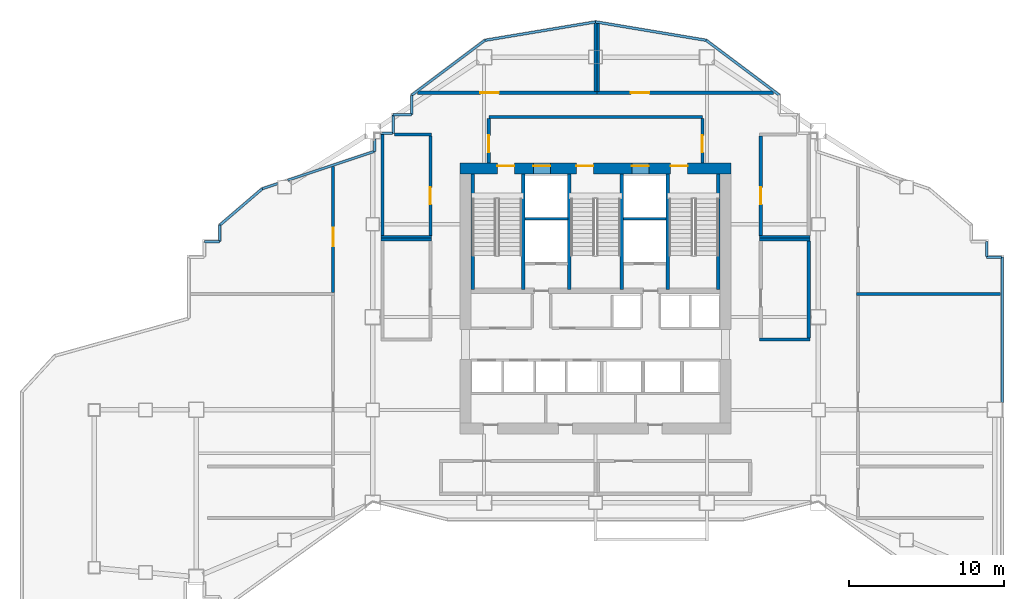
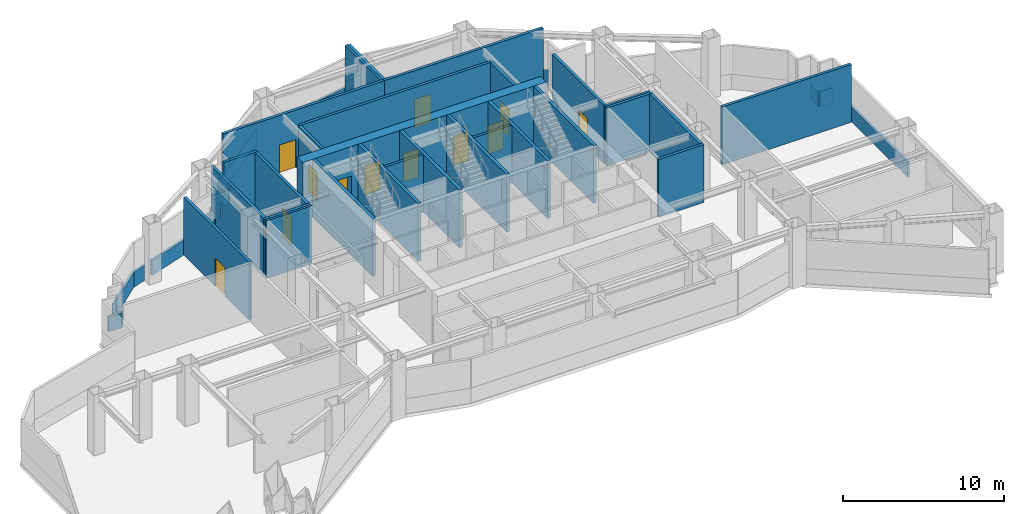
# One storey, part 4 of 12: 45 walls, 12 doors, 12 openings.
"""IFC4 building model written with IfcOpenShell, lengths in metres."""

from ifc_helpers import new_model, si_unit, direction, frame, frame_2d, origin, place, context, subcontext, project, spatial, rectangle, extrude, material, layer, layer_set, type_object, element, fill, save


model = new_model("IFC4")

# Units and contexts
model_context = context("Model", 3, precision=1e-05, world=origin(), true_north=direction((0.0, 1.0)))
body_context = subcontext(model_context, "Body", "Model", "MODEL_VIEW")
ifc_project = project(units=[si_unit("LENGTHUNIT", "METRE"), si_unit("AREAUNIT", "SQUARE_METRE"), si_unit("VOLUMEUNIT", "CUBIC_METRE"), si_unit("PLANEANGLEUNIT", "RADIAN"), si_unit("MASSUNIT", "GRAM", prefix="KILO")], contexts=[model_context])

# Site, building, storey
site_placement = place(None, origin())
site = spatial("IfcSite", under=ifc_project, at=site_placement, CompositionType="ELEMENT")
building_placement = place(site_placement, origin())
building = spatial("IfcBuilding", under=site, at=building_placement, Name="Haolan Belvedere Tower", CompositionType="ELEMENT")
storey_placement = place(building_placement, frame((0.0, 0.0, 136.39990234375)))
storey = spatial("IfcBuildingStorey", under=building, at=storey_placement, Name="L34", CompositionType="ELEMENT", Elevation=136.39990234375)

# Wall, openings, doors
ifc_material_1 = material(Name="Concrete C60/75", Category="concrete")
ifc_layer_1 = layer(ifc_material_1, 0.699951171875, Name="Concrete C60/75")
ifc_layer_set_1 = layer_set([ifc_layer_1], Name="Concrete C60/75")
wall_type_1 = type_object("IfcWallType", Name="WL-CORE-700", PredefinedType="SHEAR", material=ifc_layer_set_1)
wall_1_placement = place(storey_placement, frame((29.64990234375, 43.199951171875, 0.0), z_axis=(0.0, 0.0, 1.0), x_axis=(1.0, 0.0, 0.0)))
wall_1 = element("IfcWall", 1, at=wall_1_placement, inside=storey, type_object=wall_type_1, Name="L34 central core north shear wall", PredefinedType="SHEAR", context=body_context, shape_type="SweptSolid", body=[
    extrude(rectangle(XDim=17.5, YDim=0.699951171875, at=frame_2d((8.75, 0.0))), origin(), (0.0, 0.0, 1.0), 4.400146484375),
])
opening_1_placement = place(wall_1_placement, frame((2.39990234375, 0.0, 0.0)))
opening_1 = element("IfcOpeningElement", 2, at=opening_1_placement, cuts=wall_1, Name="Opening FD-03", PredefinedType="OPENING", context=body_context, shape_type="SweptSolid", body=[
    extrude(rectangle(XDim=1.10009765625, YDim=2.14990234375, at=frame_2d((0.550048828125, 1.074951171875))), frame((0.0, 0.35986328125, 0.0), z_axis=(0.0, -1.0, 0.0), x_axis=(1.0, 0.0, 0.0)), (0.0, 0.0, 1.0), 0.719970703125),
])
opening_2_placement = place(wall_1_placement, frame((7.510009765625, 0.0, 0.0)))
opening_2 = element("IfcOpeningElement", 3, at=opening_2_placement, cuts=wall_1, Name="Opening FD-03", PredefinedType="OPENING", context=body_context, shape_type="SweptSolid", body=[
    extrude(rectangle(XDim=1.10009765625, YDim=2.14990234375, at=frame_2d((0.550048828125, 1.074951171875))), frame((0.0, 0.35986328125, 0.0), z_axis=(0.0, -1.0, 0.0), x_axis=(1.0, 0.0, 0.0)), (0.0, 0.0, 1.0), 0.719970703125),
])
opening_3_placement = place(wall_1_placement, frame((13.60009765625, 0.0, 0.0)))
opening_3 = element("IfcOpeningElement", 4, at=opening_3_placement, cuts=wall_1, Name="Opening FD-03", PredefinedType="OPENING", context=body_context, shape_type="SweptSolid", body=[
    extrude(rectangle(XDim=1.10009765625, YDim=2.14990234375, at=frame_2d((0.550048828125, 1.074951171875))), frame((0.0, 0.35986328125, 0.0), z_axis=(0.0, -1.0, 0.0), x_axis=(1.0, 0.0, 0.0)), (0.0, 0.0, 1.0), 0.719970703125),
])
opening_4_placement = place(wall_1_placement, frame((4.72998046875, 0.0, 0.0)))
opening_4 = element("IfcOpeningElement", 5, at=opening_4_placement, cuts=wall_1, Name="Opening LD-01", PredefinedType="OPENING", context=body_context, shape_type="SweptSolid", body=[
    extrude(rectangle(XDim=1.10009765625, YDim=2.199951171875, at=frame_2d((0.550048828125, 1.10009765625))), frame((0.0, 0.35986328125, 0.0), z_axis=(0.0, -1.0, 0.0), x_axis=(1.0, 0.0, 0.0)), (0.0, 0.0, 1.0), 0.719970703125),
])
opening_5_placement = place(wall_1_placement, frame((11.090087890625, 0.0, 0.0)))
opening_5 = element("IfcOpeningElement", 6, at=opening_5_placement, cuts=wall_1, Name="Opening LD-01", PredefinedType="OPENING", context=body_context, shape_type="SweptSolid", body=[
    extrude(rectangle(XDim=1.10009765625, YDim=2.199951171875, at=frame_2d((0.550048828125, 1.10009765625))), frame((0.0, 0.35986328125, 0.0), z_axis=(0.0, -1.0, 0.0), x_axis=(1.0, 0.0, 0.0)), (0.0, 0.0, 1.0), 0.719970703125),
])
ifc_material_2 = material(Name="Galvanised fire-rated steel", Category="steel")
door_type_1 = type_object("IfcDoorType", Name="DR-FD90-1100", OperationType="NOTDEFINED", PredefinedType="DOOR", material=ifc_material_2)
door_1_placement = place(opening_1_placement, origin())
door_1 = element("IfcDoor", 7, at=door_1_placement, inside=storey, type_object=door_type_1, Name="L34 door CD-L34-ST1", OperationType="SINGLE_SWING_LEFT", OverallHeight=2.14990234375, OverallWidth=1.10009765625, PredefinedType="DOOR", context=body_context, shape_type="SweptSolid", body=[
    extrude(rectangle(XDim=1.10009765625, YDim=2.14990234375, at=frame_2d((0.550048828125, 1.074951171875))), frame((0.0, 0.18505859375, 0.0), z_axis=(0.0, -1.0, 0.0), x_axis=(1.0, 0.0, 0.0)), (0.0, 0.0, 1.0), 0.050048828125),
])
fill(opening_1, door_1)
door_2_placement = place(opening_2_placement, origin())
door_2 = element("IfcDoor", 8, at=door_2_placement, inside=storey, type_object=door_type_1, Name="L34 door CD-L34-ST3", OperationType="SINGLE_SWING_LEFT", OverallHeight=2.14990234375, OverallWidth=1.10009765625, PredefinedType="DOOR", context=body_context, shape_type="SweptSolid", body=[
    extrude(rectangle(XDim=1.10009765625, YDim=2.14990234375, at=frame_2d((0.550048828125, 1.074951171875))), frame((0.0, 0.18505859375, 0.0), z_axis=(0.0, -1.0, 0.0), x_axis=(1.0, 0.0, 0.0)), (0.0, 0.0, 1.0), 0.050048828125),
])
fill(opening_2, door_2)
door_3_placement = place(opening_3_placement, origin())
door_3 = element("IfcDoor", 9, at=door_3_placement, inside=storey, type_object=door_type_1, Name="L34 door CD-L34-ST2", OperationType="SINGLE_SWING_RIGHT", OverallHeight=2.14990234375, OverallWidth=1.10009765625, PredefinedType="DOOR", context=body_context, shape_type="SweptSolid", body=[
    extrude(rectangle(XDim=1.10009765625, YDim=2.14990234375, at=frame_2d((0.550048828125, 1.074951171875))), frame((0.0, 0.18505859375, 0.0), z_axis=(0.0, -1.0, 0.0), x_axis=(1.0, 0.0, 0.0)), (0.0, 0.0, 1.0), 0.050048828125),
])
fill(opening_3, door_3)
ifc_material_3 = material(Name="Brushed champagne stainless steel 316L", Category="steel")
door_type_2 = type_object("IfcDoorType", Name="DR-LIFT-1100", OperationType="SLIDING_TO_LEFT", PredefinedType="DOOR", material=ifc_material_3)
door_4_placement = place(opening_4_placement, origin())
door_4 = element("IfcDoor", 10, at=door_4_placement, inside=storey, type_object=door_type_2, Name="L34 door LD-L34-FF1", OperationType="SLIDING_TO_LEFT", OverallHeight=2.199951171875, OverallWidth=1.10009765625, PredefinedType="DOOR", context=body_context, shape_type="SweptSolid", body=[
    extrude(rectangle(XDim=1.10009765625, YDim=2.199951171875, at=frame_2d((0.550048828125, 1.10009765625))), frame((0.0, 0.18505859375, 0.0), z_axis=(0.0, -1.0, 0.0), x_axis=(1.0, 0.0, 0.0)), (0.0, 0.0, 1.0), 0.050048828125),
])
fill(opening_4, door_4)
door_5_placement = place(opening_5_placement, origin())
door_5 = element("IfcDoor", 11, at=door_5_placement, inside=storey, type_object=door_type_2, Name="L34 door LD-L34-FF2", OperationType="SLIDING_TO_LEFT", OverallHeight=2.199951171875, OverallWidth=1.10009765625, PredefinedType="DOOR", context=body_context, shape_type="SweptSolid", body=[
    extrude(rectangle(XDim=1.10009765625, YDim=2.199951171875, at=frame_2d((0.550048828125, 1.10009765625))), frame((0.0, 0.18505859375, 0.0), z_axis=(0.0, -1.0, 0.0), x_axis=(1.0, 0.0, 0.0)), (0.0, 0.0, 1.0), 0.050048828125),
])
fill(opening_5, door_5)

# Wall
ifc_material_4 = material(Name="Concrete C40/50", Category="concrete")
ifc_layer_2 = layer(ifc_material_4, 0.199951171875, Name="Concrete C40/50")
ifc_layer_set_2 = layer_set([ifc_layer_2], Name="Concrete C40/50")
wall_type_2 = type_object("IfcWallType", Name="WL-FIRE-200", PredefinedType="SOLIDWALL", material=ifc_layer_set_2)
wall_2_placement = place(storey_placement, frame((31.5, 46.52001953125, 0.0), z_axis=(0.0, 0.0, 1.0), x_axis=(1.0, 0.0, 0.0)))
element("IfcWall", 12, at=wall_2_placement, inside=storey, type_object=wall_type_2, Name="L34 interior partition IW-L34-FFL-N", PredefinedType="SOLIDWALL", context=body_context, shape_type="SweptSolid", body=[
    extrude(rectangle(XDim=13.800048828125, YDim=0.199951171875, at=frame_2d((6.89990234375, 0.0))), origin(), (0.0, 0.0, 1.0), 4.400146484375),
])

# Wall, opening, door
wall_3_placement = place(storey_placement, frame((31.5, 43.550048828125, 0.0), z_axis=(0.0, 0.0, 1.0), x_axis=(0.0, 1.0, 0.0)))
wall_3 = element("IfcWall", 13, at=wall_3_placement, inside=storey, type_object=wall_type_2, Name="L34 interior partition IW-L34-FFL-W", PredefinedType="SOLIDWALL", context=body_context, shape_type="SweptSolid", body=[
    extrude(rectangle(XDim=2.885009765625, YDim=0.199951171875, at=frame_2d((1.4423828125, 0.0))), origin(), (0.0, 0.0, 1.0), 4.400146484375),
])
opening_6_placement = place(wall_3_placement, frame((1.800048828125, 0.0, 0.0), z_axis=(0.0, 0.0, 1.0), x_axis=(-1.0, 0.0, 0.0)))
opening_6 = element("IfcOpeningElement", 14, at=opening_6_placement, cuts=wall_3, Name="Opening FD-03", PredefinedType="OPENING", context=body_context, shape_type="SweptSolid", body=[
    extrude(rectangle(XDim=1.10009765625, YDim=2.14990234375, at=frame_2d((0.550048828125, 1.074951171875))), frame((0.0, 0.10986328125, 0.0), z_axis=(0.0, -1.0, 0.0), x_axis=(1.0, 0.0, 0.0)), (0.0, 0.0, 1.0), 0.219970703125),
])
door_6_placement = place(opening_6_placement, origin())
door_6 = element("IfcDoor", 15, at=door_6_placement, inside=storey, type_object=door_type_1, Name="L34 door ID-L34-FFL-DW", OperationType="SINGLE_SWING_LEFT", OverallHeight=2.14990234375, OverallWidth=1.10009765625, PredefinedType="DOOR", context=body_context, shape_type="SweptSolid", body=[
    extrude(rectangle(XDim=1.10009765625, YDim=2.14990234375, at=frame_2d((0.550048828125, 1.074951171875))), frame((0.0, 0.02490234375, 0.0), z_axis=(0.0, -1.0, 0.0), x_axis=(1.0, 0.0, 0.0)), (0.0, 0.0, 1.0), 0.050048828125),
])
fill(opening_6, door_6)

wall_4_placement = place(storey_placement, frame((45.300048828125, 43.550048828125, 0.0), z_axis=(0.0, 0.0, 1.0), x_axis=(0.0, 1.0, 0.0)))
wall_4 = element("IfcWall", 16, at=wall_4_placement, inside=storey, type_object=wall_type_2, Name="L34 interior partition IW-L34-FFL-E", PredefinedType="SOLIDWALL", context=body_context, shape_type="SweptSolid", body=[
    extrude(rectangle(XDim=2.885009765625, YDim=0.199951171875, at=frame_2d((1.4423828125, 0.0))), origin(), (0.0, 0.0, 1.0), 4.400146484375),
])
opening_7_placement = place(wall_4_placement, frame((0.699951171875, 0.0, 0.0)))
opening_7 = element("IfcOpeningElement", 17, at=opening_7_placement, cuts=wall_4, Name="Opening FD-03", PredefinedType="OPENING", context=body_context, shape_type="SweptSolid", body=[
    extrude(rectangle(XDim=1.10009765625, YDim=2.14990234375, at=frame_2d((0.550048828125, 1.074951171875))), frame((0.0, 0.10986328125, 0.0), z_axis=(0.0, -1.0, 0.0), x_axis=(1.0, 0.0, 0.0)), (0.0, 0.0, 1.0), 0.219970703125),
])
door_7_placement = place(opening_7_placement, origin())
door_7 = element("IfcDoor", 18, at=door_7_placement, inside=storey, type_object=door_type_1, Name="L34 door ID-L34-FFL-DE", OperationType="SINGLE_SWING_RIGHT", OverallHeight=2.14990234375, OverallWidth=1.10009765625, PredefinedType="DOOR", context=body_context, shape_type="SweptSolid", body=[
    extrude(rectangle(XDim=1.10009765625, YDim=2.14990234375, at=frame_2d((0.550048828125, 1.074951171875))), frame((0.0, 0.02490234375, 0.0), z_axis=(0.0, -1.0, 0.0), x_axis=(1.0, 0.0, 0.0)), (0.0, 0.0, 1.0), 0.050048828125),
])
fill(opening_7, door_7)

wall_5_placement = place(storey_placement, frame((21.43994140625, 35.18505859375, 0.0), z_axis=(0.0, 0.0, 1.0), x_axis=(0.0, 1.0, 0.0)))
wall_5 = element("IfcWall", 19, at=wall_5_placement, inside=storey, type_object=wall_type_2, Name="L34 interior partition IW-L34-REF-W2-E", PredefinedType="SOLIDWALL", context=body_context, shape_type="SweptSolid", body=[
    extrude(rectangle(XDim=8.13818359375, YDim=0.199951171875, at=frame_2d((4.069091796875, 0.0))), origin(), (0.0, 0.0, 1.0), 4.400146484375),
])
opening_8_placement = place(wall_5_placement, frame((4.195068359375, 0.0, 0.0), z_axis=(0.0, 0.0, 1.0), x_axis=(-1.0, 0.0, 0.0)))
opening_8 = element("IfcOpeningElement", 20, at=opening_8_placement, cuts=wall_5, Name="Opening FD-02", PredefinedType="OPENING", context=body_context, shape_type="SweptSolid", body=[
    extrude(rectangle(XDim=1.199951171875, YDim=2.14990234375, at=frame_2d((0.60009765625, 1.074951171875))), frame((0.0, 0.10986328125, 0.0), z_axis=(0.0, -1.0, 0.0), x_axis=(1.0, 0.0, 0.0)), (0.0, 0.0, 1.0), 0.219970703125),
])
door_type_3 = type_object("IfcDoorType", Name="DR-FD90-1200", OperationType="NOTDEFINED", PredefinedType="DOOR", material=ifc_material_2)
door_8_placement = place(opening_8_placement, origin())
door_8 = element("IfcDoor", 21, at=door_8_placement, inside=storey, type_object=door_type_3, Name="L34 door ID-L34-REF-W2", OperationType="SINGLE_SWING_RIGHT", OverallHeight=2.14990234375, OverallWidth=1.199951171875, PredefinedType="DOOR", context=body_context, shape_type="SweptSolid", body=[
    extrude(rectangle(XDim=1.199951171875, YDim=2.14990234375, at=frame_2d((0.60009765625, 1.074951171875))), frame((0.0, 0.02490234375, 0.0), z_axis=(0.0, -1.0, 0.0), x_axis=(1.0, 0.0, 0.0)), (0.0, 0.0, 1.0), 0.050048828125),
])
fill(opening_8, door_8)

# Walls
wall_6_placement = place(storey_placement, frame((55.280029296875, 35.10009765625, 0.0), z_axis=(0.0, 0.0, 1.0), x_axis=(1.0, 0.0, 0.0)))
element("IfcWall", 22, at=wall_6_placement, inside=storey, type_object=wall_type_2, Name="L34 interior partition IW-L34-REF-E1-N", PredefinedType="SOLIDWALL", context=body_context, shape_type="SweptSolid", body=[
    extrude(rectangle(XDim=9.307861328125, YDim=0.199951171875, at=frame_2d((4.65380859375, 0.0))), origin(), (0.0, 0.0, 1.0), 4.400146484375),
])
wall_7_placement = place(storey_placement, frame((24.5400390625, 38.60009765625, 0.0), z_axis=(0.0, 0.0, 1.0), x_axis=(1.0, 0.0, 0.0)))
element("IfcWall", 23, at=wall_7_placement, inside=storey, type_object=wall_type_2, Name="L34 interior partition IW-L34-REF-WI1-N", PredefinedType="SOLIDWALL", context=body_context, shape_type="SweptSolid", body=[
    extrude(rectangle(XDim=3.260009765625, YDim=0.199951171875, at=frame_2d((1.6298828125, 0.0))), origin(), (0.0, 0.0, 1.0), 4.400146484375),
])
wall_8_placement = place(storey_placement, frame((25.412109375, 45.39990234375, 0.0), z_axis=(0.0, 0.0, 1.0), x_axis=(1.0, 0.0, 0.0)))
element("IfcWall", 24, at=wall_8_placement, inside=storey, type_object=wall_type_2, Name="L34 interior partition IW-L34-REF-WI2-N", PredefinedType="SOLIDWALL", context=body_context, shape_type="SweptSolid", body=[
    extrude(rectangle(XDim=2.387939453125, YDim=0.199951171875, at=frame_2d((1.19384765625, 0.0))), origin(), (0.0, 0.0, 1.0), 4.400146484375),
])
wall_9_placement = place(storey_placement, frame((24.5400390625, 38.760009765625, 0.0), z_axis=(0.0, 0.0, 1.0), x_axis=(1.0, 0.0, 0.0)))
element("IfcWall", 25, at=wall_9_placement, inside=storey, type_object=wall_type_2, Name="L34 interior partition IW-L34-REF-WI2-S", PredefinedType="SOLIDWALL", context=body_context, shape_type="SweptSolid", body=[
    extrude(rectangle(XDim=3.260009765625, YDim=0.199951171875, at=frame_2d((1.6298828125, 0.0))), origin(), (0.0, 0.0, 1.0), 4.400146484375),
])
wall_10_placement = place(storey_placement, frame((24.6201171875, 38.844970703125, 0.0), z_axis=(0.0, 0.0, 1.0), x_axis=(0.0, 1.0, 0.0)))
element("IfcWall", 26, at=wall_10_placement, inside=storey, type_object=wall_type_2, Name="L34 interior partition IW-L34-REF-WI2-W", PredefinedType="SOLIDWALL", context=body_context, shape_type="SweptSolid", body=[
    extrude(rectangle(XDim=6.54296875, YDim=0.199951171875, at=frame_2d((3.271484375, 0.0))), origin(), (0.0, 0.0, 1.0), 4.400146484375),
])

# Wall, opening, door
wall_11_placement = place(storey_placement, frame((27.719970703125, 38.844970703125, 0.0), z_axis=(0.0, 0.0, 1.0), x_axis=(0.0, 1.0, 0.0)))
wall_11 = element("IfcWall", 27, at=wall_11_placement, inside=storey, type_object=wall_type_2, Name="L34 interior partition IW-L34-REF-WI2-E", PredefinedType="SOLIDWALL", context=body_context, shape_type="SweptSolid", body=[
    extrude(rectangle(XDim=6.469970703125, YDim=0.199951171875, at=frame_2d((3.23486328125, 0.0))), origin(), (0.0, 0.0, 1.0), 4.400146484375),
])
opening_9_placement = place(wall_11_placement, frame((3.135009765625, 0.0, 0.0), z_axis=(0.0, 0.0, 1.0), x_axis=(-1.0, 0.0, 0.0)))
opening_9 = element("IfcOpeningElement", 28, at=opening_9_placement, cuts=wall_11, Name="Opening FD-03", PredefinedType="OPENING", context=body_context, shape_type="SweptSolid", body=[
    extrude(rectangle(XDim=1.10009765625, YDim=2.14990234375, at=frame_2d((0.550048828125, 1.074951171875))), frame((0.0, 0.10986328125, 0.0), z_axis=(0.0, -1.0, 0.0), x_axis=(1.0, 0.0, 0.0)), (0.0, 0.0, 1.0), 0.219970703125),
])
door_9_placement = place(opening_9_placement, origin())
door_9 = element("IfcDoor", 29, at=door_9_placement, inside=storey, type_object=door_type_1, Name="L34 door ID-L34-REF-WI2", OperationType="SINGLE_SWING_RIGHT", OverallHeight=2.14990234375, OverallWidth=1.10009765625, PredefinedType="DOOR", context=body_context, shape_type="SweptSolid", body=[
    extrude(rectangle(XDim=1.10009765625, YDim=2.14990234375, at=frame_2d((0.550048828125, 1.074951171875))), frame((0.0, 0.02490234375, 0.0), z_axis=(0.0, -1.0, 0.0), x_axis=(1.0, 0.0, 0.0)), (0.0, 0.0, 1.0), 0.050048828125),
])
fill(opening_9, door_9)

# Walls
for number, where, z_axis, x_axis, name in (
    (30, (49.0, 38.60009765625, 0.0), (0.0, 0.0, 1.0), (1.0, 0.0, 0.0), "L34 interior partition IW-L34-REF-EI1-N"),
    (31, (49.0, 32.14990234375, 0.0), (0.0, 0.0, 1.0), (1.0, 0.0, 0.0), "L34 interior partition IW-L34-REF-EI1-S"),
):
    element("IfcWall", number, at=place(storey_placement, frame(where, z_axis=z_axis, x_axis=x_axis)), inside=storey, type_object=wall_type_2, Name=name, PredefinedType="SOLIDWALL", context=body_context, shape_type="SweptSolid", body=[
        extrude(rectangle(XDim=3.260009765625, YDim=0.199951171875, at=frame_2d((1.6298828125, 0.0))), origin(), (0.0, 0.0, 1.0), 4.400146484375),
    ])
wall_12_placement = place(storey_placement, frame((52.179931640625, 32.235107421875, 0.0), z_axis=(0.0, 0.0, 1.0), x_axis=(0.0, 1.0, 0.0)))
element("IfcWall", 32, at=wall_12_placement, inside=storey, type_object=wall_type_2, Name="L34 interior partition IW-L34-REF-EI1-E", PredefinedType="SOLIDWALL", context=body_context, shape_type="SweptSolid", body=[
    extrude(rectangle(XDim=6.27978515625, YDim=0.199951171875, at=frame_2d((3.139892578125, 0.0))), origin(), (0.0, 0.0, 1.0), 4.400146484375),
])
wall_13_placement = place(storey_placement, frame((49.0, 38.760009765625, 0.0), z_axis=(0.0, 0.0, 1.0), x_axis=(1.0, 0.0, 0.0)))
element("IfcWall", 33, at=wall_13_placement, inside=storey, type_object=wall_type_2, Name="L34 interior partition IW-L34-REF-EI2-S", PredefinedType="SOLIDWALL", context=body_context, shape_type="SweptSolid", body=[
    extrude(rectangle(XDim=3.260009765625, YDim=0.199951171875, at=frame_2d((1.6298828125, 0.0))), origin(), (0.0, 0.0, 1.0), 4.400146484375),
])

# Wall, opening, door
wall_14_placement = place(storey_placement, frame((49.080078125, 38.844970703125, 0.0), z_axis=(0.0, 0.0, 1.0), x_axis=(0.0, 1.0, 0.0)))
wall_14 = element("IfcWall", 34, at=wall_14_placement, inside=storey, type_object=wall_type_2, Name="L34 interior partition IW-L34-REF-EI2-W", PredefinedType="SOLIDWALL", context=body_context, shape_type="SweptSolid", body=[
    extrude(rectangle(XDim=6.469970703125, YDim=0.199951171875, at=frame_2d((3.23486328125, 0.0))), origin(), (0.0, 0.0, 1.0), 4.400146484375),
])
opening_10_placement = place(wall_14_placement, frame((2.034912109375, 0.0, 0.0)))
opening_10 = element("IfcOpeningElement", 35, at=opening_10_placement, cuts=wall_14, Name="Opening FD-03", PredefinedType="OPENING", context=body_context, shape_type="SweptSolid", body=[
    extrude(rectangle(XDim=1.10009765625, YDim=2.14990234375, at=frame_2d((0.550048828125, 1.074951171875))), frame((0.0, 0.10986328125, 0.0), z_axis=(0.0, -1.0, 0.0), x_axis=(1.0, 0.0, 0.0)), (0.0, 0.0, 1.0), 0.219970703125),
])
door_10_placement = place(opening_10_placement, origin())
door_10 = element("IfcDoor", 36, at=door_10_placement, inside=storey, type_object=door_type_1, Name="L34 door ID-L34-REF-EI2", OperationType="SINGLE_SWING_LEFT", OverallHeight=2.14990234375, OverallWidth=1.10009765625, PredefinedType="DOOR", context=body_context, shape_type="SweptSolid", body=[
    extrude(rectangle(XDim=1.10009765625, YDim=2.14990234375, at=frame_2d((0.550048828125, 1.074951171875))), frame((0.0, 0.02490234375, 0.0), z_axis=(0.0, -1.0, 0.0), x_axis=(1.0, 0.0, 0.0)), (0.0, 0.0, 1.0), 0.050048828125),
])
fill(opening_10, door_10)

wall_15_placement = place(storey_placement, frame((26.88671875, 48.10009765625, 0.0), z_axis=(0.0, 0.0, 1.0), x_axis=(1.0, 0.0, 0.0)))
wall_15 = element("IfcWall", 37, at=wall_15_placement, inside=storey, type_object=wall_type_2, Name="L34 interior partition IW-L34-REF-NW-S", PredefinedType="SOLIDWALL", context=body_context, shape_type="SweptSolid", body=[
    extrude(rectangle(XDim=11.59326171875, YDim=0.199951171875, at=frame_2d((5.796630859375, 0.0))), origin(), (0.0, 0.0, 1.0), 4.400146484375),
])
opening_11_placement = place(wall_15_placement, frame((4.063232421875, 0.0, 0.0)))
opening_11 = element("IfcOpeningElement", 38, at=opening_11_placement, cuts=wall_15, Name="Opening FD-02", PredefinedType="OPENING", context=body_context, shape_type="SweptSolid", body=[
    extrude(rectangle(XDim=1.199951171875, YDim=2.14990234375, at=frame_2d((0.60009765625, 1.074951171875))), frame((0.0, 0.10986328125, 0.0), z_axis=(0.0, -1.0, 0.0), x_axis=(1.0, 0.0, 0.0)), (0.0, 0.0, 1.0), 0.219970703125),
])
door_11_placement = place(opening_11_placement, origin())
door_11 = element("IfcDoor", 39, at=door_11_placement, inside=storey, type_object=door_type_3, Name="L34 door ID-L34-REF-NW", OperationType="SINGLE_SWING_LEFT", OverallHeight=2.14990234375, OverallWidth=1.199951171875, PredefinedType="DOOR", context=body_context, shape_type="SweptSolid", body=[
    extrude(rectangle(XDim=1.199951171875, YDim=2.14990234375, at=frame_2d((0.60009765625, 1.074951171875))), frame((0.0, 0.02490234375, 0.0), z_axis=(0.0, -1.0, 0.0), x_axis=(1.0, 0.0, 0.0)), (0.0, 0.0, 1.0), 0.050048828125),
])
fill(opening_11, door_11)

# Wall
wall_16_placement = place(storey_placement, frame((38.39990234375, 48.18505859375, 0.0), z_axis=(0.0, 0.0, 1.0), x_axis=(0.0, 1.0, 0.0)))
element("IfcWall", 40, at=wall_16_placement, inside=storey, type_object=wall_type_2, Name="L34 interior partition IW-L34-REF-NW-E", PredefinedType="SOLIDWALL", context=body_context, shape_type="SweptSolid", body=[
    extrude(rectangle(XDim=4.400146484375, YDim=0.199951171875, at=frame_2d((2.2001953125, 0.0))), origin(), (0.0, 0.0, 1.0), 4.400146484375),
])

# Wall, opening, door
wall_17_placement = place(storey_placement, frame((38.485107421875, 48.10009765625, 0.0), z_axis=(0.0, 0.0, 1.0), x_axis=(1.0, 0.0, 0.0)))
wall_17 = element("IfcWall", 41, at=wall_17_placement, inside=storey, type_object=wall_type_2, Name="L34 interior partition IW-L34-REF-NE-S", PredefinedType="SOLIDWALL", context=body_context, shape_type="SweptSolid", body=[
    extrude(rectangle(XDim=11.42822265625, YDim=0.199951171875, at=frame_2d((5.714111328125, 0.0))), origin(), (0.0, 0.0, 1.0), 4.400146484375),
])
opening_12_placement = place(wall_17_placement, frame((2.195068359375, 0.0, 0.0)))
opening_12 = element("IfcOpeningElement", 42, at=opening_12_placement, cuts=wall_17, Name="Opening FD-02", PredefinedType="OPENING", context=body_context, shape_type="SweptSolid", body=[
    extrude(rectangle(XDim=1.199951171875, YDim=2.14990234375, at=frame_2d((0.60009765625, 1.074951171875))), frame((0.0, 0.10986328125, 0.0), z_axis=(0.0, -1.0, 0.0), x_axis=(1.0, 0.0, 0.0)), (0.0, 0.0, 1.0), 0.219970703125),
])
door_12_placement = place(opening_12_placement, origin())
door_12 = element("IfcDoor", 43, at=door_12_placement, inside=storey, type_object=door_type_3, Name="L34 door ID-L34-REF-NE", OperationType="SINGLE_SWING_RIGHT", OverallHeight=2.14990234375, OverallWidth=1.199951171875, PredefinedType="DOOR", context=body_context, shape_type="SweptSolid", body=[
    extrude(rectangle(XDim=1.199951171875, YDim=2.14990234375, at=frame_2d((0.60009765625, 1.074951171875))), frame((0.0, 0.02490234375, 0.0), z_axis=(0.0, -1.0, 0.0), x_axis=(1.0, 0.0, 0.0)), (0.0, 0.0, 1.0), 0.050048828125),
])
fill(opening_12, door_12)

# Walls
wall_18_placement = place(storey_placement, frame((38.56005859375, 48.18505859375, 0.0), z_axis=(0.0, 0.0, 1.0), x_axis=(0.0, 1.0, 0.0)))
element("IfcWall", 44, at=wall_18_placement, inside=storey, type_object=wall_type_2, Name="L34 interior partition IW-L34-REF-NE-W", PredefinedType="SOLIDWALL", context=body_context, shape_type="SweptSolid", body=[
    extrude(rectangle(XDim=4.373291015625, YDim=0.199951171875, at=frame_2d((2.1865234375, 0.0))), origin(), (0.0, 0.0, 1.0), 4.400146484375),
])
ifc_material_5 = material(Name="Precast concrete C40/50", Category="concrete")
ifc_layer_3 = layer(ifc_material_5, 0.159912109375, Name="Precast concrete C40/50")
ifc_layer_set_3 = layer_set([ifc_layer_3], Name="Precast concrete C40/50")
wall_type_3 = type_object("IfcWallType", Name="WL-PAR-160", PredefinedType="PARAPET", material=ifc_layer_set_3)
wall_19_placement = place(storey_placement, frame((64.679931640625, 28.092041015625, 0.0), z_axis=(0.0, 0.0, 1.0), x_axis=(0.0, 1.0, 0.0)))
element("IfcWall", 45, at=wall_19_placement, inside=storey, type_object=wall_type_3, Name="L34 refuge open-band parapet 14.2", PredefinedType="PARAPET", context=body_context, shape_type="SweptSolid", body=[
    extrude(rectangle(XDim=9.387939453125, YDim=0.159912109375, at=frame_2d((4.69384765625, 0.0))), origin(), (0.0, 0.0, 1.0), 1.150146484375),
])
for number, where, z_axis, x_axis, name in (
    (46, (64.64990234375, 37.47998046875, 0.0), (0.0, 0.0, 1.0), (-1.0, 0.0, 0.0), "L34 refuge open-band parapet 15.1"),
    (47, (63.679931640625, 37.510009765625, 0.0), (0.0, 0.0, 1.0), (0.0, 1.0, 0.0), "L34 refuge open-band parapet 16.1"),
):
    element("IfcWall", number, at=place(storey_placement, frame(where, z_axis=z_axis, x_axis=x_axis)), inside=storey, type_object=wall_type_3, Name=name, PredefinedType="PARAPET", context=body_context, shape_type="SweptSolid", body=[
        extrude(rectangle(XDim=0.969970703125, YDim=0.159912109375, at=frame_2d((0.48486328125, 0.0))), origin(), (0.0, 0.0, 1.0), 1.150146484375),
    ])
wall_20_placement = place(storey_placement, frame((50.26806640625, 47.948974609375, 0.0), z_axis=(0.0, 0.0, 1.0), x_axis=(-0.800004969205, 0.599993374337, 0.0)))
element("IfcWall", 48, at=wall_20_placement, inside=storey, type_object=wall_type_3, Name="L34 refuge open-band parapet 26.1", PredefinedType="PARAPET", context=body_context, shape_type="SweptSolid", body=[
    extrude(rectangle(XDim=5.895751953125, YDim=0.159912109375, at=frame_2d((2.94775390625, 0.0))), origin(), (0.0, 0.0, 1.0), 1.150146484375),
])
wall_21_placement = place(storey_placement, frame((45.551513671875, 51.486328125, 0.0), z_axis=(0.0, 0.0, 1.0), x_axis=(-0.986394833909, 0.164393526752, 0.0)))
element("IfcWall", 49, at=wall_21_placement, inside=storey, type_object=wall_type_3, Name="L34 refuge open-band parapet 27.1", PredefinedType="PARAPET", context=body_context, shape_type="SweptSolid", body=[
    extrude(rectangle(XDim=7.250244140625, YDim=0.159912109375, at=frame_2d((3.625, 0.0))), origin(), (0.0, 0.0, 1.0), 1.150146484375),
])
wall_22_placement = place(storey_placement, frame((38.39990234375, 52.67822265625, 0.0), z_axis=(0.0, 0.0, 1.0), x_axis=(-0.986393923832, -0.164398987305, 0.0)))
element("IfcWall", 50, at=wall_22_placement, inside=storey, type_object=wall_type_3, Name="L34 refuge open-band parapet 28.1", PredefinedType="PARAPET", context=body_context, shape_type="SweptSolid", body=[
    extrude(rectangle(XDim=7.25, YDim=0.159912109375, at=frame_2d((3.625, 0.0))), origin(), (0.0, 0.0, 1.0), 1.150146484375),
])
wall_23_placement = place(storey_placement, frame((31.24853515625, 51.486328125, 0.0), z_axis=(0.0, 0.0, 1.0), x_axis=(-0.8, -0.6, 0.0)))
element("IfcWall", 51, at=wall_23_placement, inside=storey, type_object=wall_type_3, Name="L34 refuge open-band parapet 29.1", PredefinedType="PARAPET", context=body_context, shape_type="SweptSolid", body=[
    extrude(rectangle(XDim=5.91064453125, YDim=0.159912109375, at=frame_2d((2.955322265625, 0.0))), origin(), (0.0, 0.0, 1.0), 1.150146484375),
])
wall_24_placement = place(storey_placement, frame((26.52001953125, 47.925048828125, 0.0), z_axis=(0.0, 0.0, 1.0), x_axis=(0.0, -1.0, 0.0)))
element("IfcWall", 52, at=wall_24_placement, inside=storey, type_object=wall_type_3, Name="L34 refuge open-band parapet 30.1", PredefinedType="PARAPET", context=body_context, shape_type="SweptSolid", body=[
    extrude(rectangle(XDim=1.2451171875, YDim=0.159912109375, at=frame_2d((0.62255859375, 0.0))), origin(), (0.0, 0.0, 1.0), 1.150146484375),
])
for number, where, z_axis, x_axis, name in (
    (53, (26.489990234375, 46.679931640625, 0.0), (0.0, 0.0, 1.0), (-1.0, 0.0, 0.0), "L34 refuge open-band parapet 31.1"),
    (54, (25.320068359375, 46.64990234375, 0.0), (0.0, 0.0, 1.0), (0.0, -1.0, 0.0), "L34 refuge open-band parapet 32.1"),
):
    element("IfcWall", number, at=place(storey_placement, frame(where, z_axis=z_axis, x_axis=x_axis)), inside=storey, type_object=wall_type_3, Name=name, PredefinedType="PARAPET", context=body_context, shape_type="SweptSolid", body=[
        extrude(rectangle(XDim=1.169921875, YDim=0.159912109375, at=frame_2d((0.5849609375, 0.0))), origin(), (0.0, 0.0, 1.0), 1.150146484375),
    ])
wall_25_placement = place(storey_placement, frame((25.2900390625, 45.47998046875, 0.0), z_axis=(0.0, 0.0, 1.0), x_axis=(-1.0, 0.0, 0.0)))
element("IfcWall", 55, at=wall_25_placement, inside=storey, type_object=wall_type_3, Name="L34 refuge open-band parapet 33.1", PredefinedType="PARAPET", context=body_context, shape_type="SweptSolid", body=[
    extrude(rectangle(XDim=0.798095703125, YDim=0.159912109375, at=frame_2d((0.39892578125, 0.0))), origin(), (0.0, 0.0, 1.0), 1.150146484375),
])
wall_26_placement = place(storey_placement, frame((24.1201171875, 45.10791015625, 0.0), z_axis=(0.0, 0.0, 1.0), x_axis=(0.0, -1.0, 0.0)))
element("IfcWall", 56, at=wall_26_placement, inside=storey, type_object=wall_type_3, Name="L34 refuge open-band parapet 34.1", PredefinedType="PARAPET", context=body_context, shape_type="SweptSolid", body=[
    extrude(rectangle(XDim=0.79443359375, YDim=0.159912109375, at=frame_2d((0.397216796875, 0.0))), origin(), (0.0, 0.0, 1.0), 1.150146484375),
])
wall_27_placement = place(storey_placement, frame((24.091552734375, 44.303955078125, 0.0), z_axis=(0.0, 0.0, 1.0), x_axis=(-0.948683298051, -0.316227766017, 0.0)))
element("IfcWall", 57, at=wall_27_placement, inside=storey, type_object=wall_type_3, Name="L34 refuge open-band parapet 35.1", PredefinedType="PARAPET", context=body_context, shape_type="SweptSolid", body=[
    extrude(rectangle(XDim=5.888427734375, YDim=0.159912109375, at=frame_2d((2.9443359375, 0.0))), origin(), (0.0, 0.0, 1.0), 1.150146484375),
])
wall_28_placement = place(storey_placement, frame((17.85791015625, 42.226318359375, 0.0), z_axis=(0.0, 0.0, 1.0), x_axis=(-0.948636865667, -0.316367029093, 0.0)))
element("IfcWall", 58, at=wall_28_placement, inside=storey, type_object=wall_type_3, Name="L34 refuge open-band parapet 35.2", PredefinedType="PARAPET", context=body_context, shape_type="SweptSolid", body=[
    extrude(rectangle(XDim=1.0517578125, YDim=0.159912109375, at=frame_2d((0.52587890625, 0.0))), origin(), (0.0, 0.0, 1.0), 1.150146484375),
])
wall_29_placement = place(storey_placement, frame((16.860107421875, 41.8935546875, 0.0), z_axis=(0.0, 0.0, 1.0), x_axis=(-0.759247051556, -0.650802515902, 0.0)))
element("IfcWall", 59, at=wall_29_placement, inside=storey, type_object=wall_type_3, Name="L34 refuge open-band parapet 36.1", PredefinedType="PARAPET", context=body_context, shape_type="SweptSolid", body=[
    extrude(rectangle(XDim=3.60888671875, YDim=0.159912109375, at=frame_2d((1.804443359375, 0.0))), origin(), (0.0, 0.0, 1.0), 1.150146484375),
])
wall_30_placement = place(storey_placement, frame((14.1201171875, 39.544921875, 0.0), z_axis=(0.0, 0.0, 1.0), x_axis=(0.0, -1.0, 0.0)))
element("IfcWall", 60, at=wall_30_placement, inside=storey, type_object=wall_type_3, Name="L34 refuge open-band parapet 37.1", PredefinedType="PARAPET", context=body_context, shape_type="SweptSolid", body=[
    extrude(rectangle(XDim=1.06494140625, YDim=0.159912109375, at=frame_2d((0.532470703125, 0.0))), origin(), (0.0, 0.0, 1.0), 1.150146484375),
])
wall_31_placement = place(storey_placement, frame((14.090087890625, 38.47998046875, 0.0), z_axis=(0.0, 0.0, 1.0), x_axis=(-1.0, 0.0, 0.0)))
element("IfcWall", 61, at=wall_31_placement, inside=storey, type_object=wall_type_3, Name="L34 refuge open-band parapet 38.1", PredefinedType="PARAPET", context=body_context, shape_type="SweptSolid", body=[
    extrude(rectangle(XDim=0.969970703125, YDim=0.159912109375, at=frame_2d((0.48486328125, 0.0))), origin(), (0.0, 0.0, 1.0), 1.150146484375),
])
ifc_layer_4 = layer(ifc_material_5, 0.179931640625, Name="Precast concrete C40/50")
ifc_layer_set_4 = layer_set([ifc_layer_4], Name="Precast concrete C40/50")
wall_type_4 = type_object("IfcWallType", Name="WL-SHAFT-180", PredefinedType="SOLIDWALL", material=ifc_layer_set_4)
for number, where, z_axis, x_axis, name in (
    (62, (33.8349609375, 39.949951171875, 0.0), (0.0, 0.0, 1.0), (1.0, 0.0, 0.0), "L34 interior partition IW-L34-FF1-S"),
    (63, (40.195068359375, 39.949951171875, 0.0), (0.0, 0.0, 1.0), (1.0, 0.0, 0.0), "L34 interior partition IW-L34-FF2-S"),
):
    element("IfcWall", number, at=place(storey_placement, frame(where, z_axis=z_axis, x_axis=x_axis)), inside=storey, type_object=wall_type_4, Name=name, PredefinedType="SOLIDWALL", context=body_context, shape_type="SweptSolid", body=[
        extrude(rectangle(XDim=2.77001953125, YDim=0.179931640625, at=frame_2d((1.385009765625, 0.0))), origin(), (0.0, 0.0, 1.0), 4.400146484375),
    ])
ifc_material_6 = material(Name="Concrete C50/60", Category="concrete")
ifc_layer_5 = layer(ifc_material_6, 0.219970703125, Name="Concrete C50/60")
ifc_layer_set_5 = layer_set([ifc_layer_5], Name="Concrete C50/60")
wall_type_5 = type_object("IfcWallType", Name="WL-STAIR-220", PredefinedType="SHEAR", material=ifc_layer_set_5)
for number, where, z_axis, x_axis, name in (
    (64, (30.4619140625, 35.389892578125, 0.0), (0.0, 0.0, 1.0), (0.0, 1.0, 0.0), "L34 structural stair core wall ST1W"),
    (65, (33.739990234375, 35.389892578125, 0.0), (0.0, 0.0, 1.0), (0.0, 1.0, 0.0), "L34 structural stair core wall ST1E"),
    (66, (36.699951171875, 35.389892578125, 0.0), (0.0, 0.0, 1.0), (0.0, 1.0, 0.0), "L34 structural stair core wall ST3W"),
    (67, (40.10009765625, 35.389892578125, 0.0), (0.0, 0.0, 1.0), (0.0, 1.0, 0.0), "L34 structural stair core wall ST3E"),
    (68, (43.06005859375, 35.389892578125, 0.0), (0.0, 0.0, 1.0), (0.0, 1.0, 0.0), "L34 structural stair core wall ST2W"),
    (69, (46.337890625, 35.389892578125, 0.0), (0.0, 0.0, 1.0), (0.0, 1.0, 0.0), "L34 structural stair core wall ST2E"),
):
    element("IfcWall", number, at=place(storey_placement, frame(where, z_axis=z_axis, x_axis=x_axis)), inside=storey, type_object=wall_type_5, Name=name, PredefinedType="SHEAR", context=body_context, shape_type="SweptSolid", body=[
        extrude(rectangle(XDim=7.460205078125, YDim=0.219970703125, at=frame_2d((3.72998046875, 0.0))), origin(), (0.0, 0.0, 1.0), 4.400146484375),
    ])

save(model, "model.ifc")
